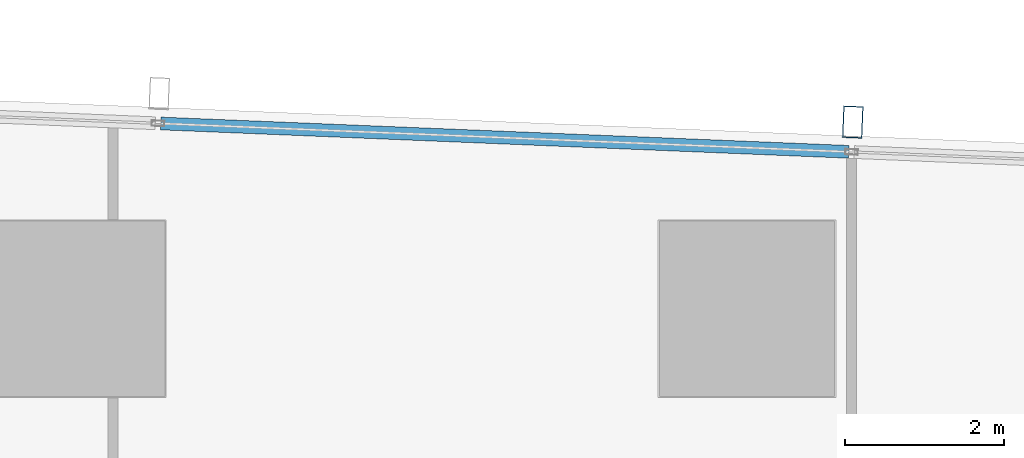
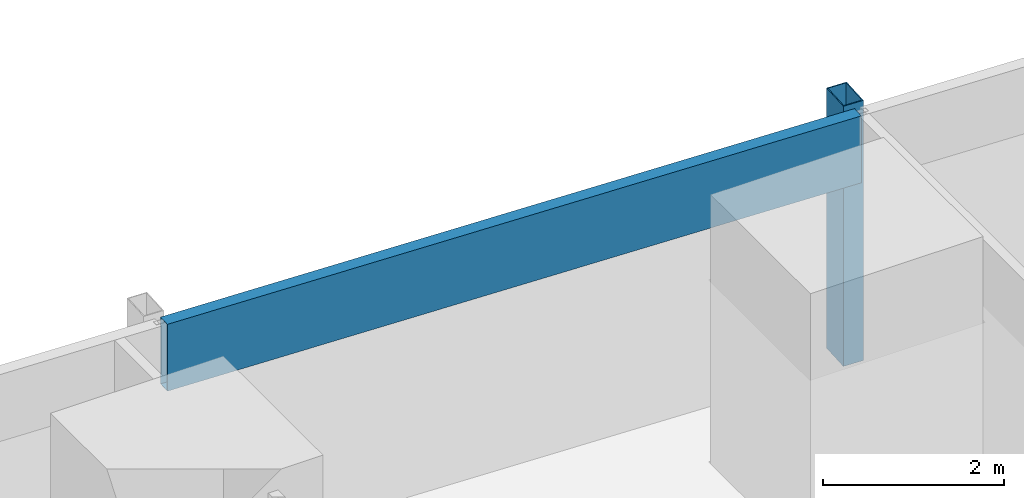
# One storey, part 24 of 42: 2 members, 1 element without a shape of its own.
"""IFC4 building model written with IfcOpenShell, lengths in metres."""

import ifcopenshell
import ifcopenshell.guid

model = None  # the IFC model being written
_history = None  # IfcOwnerHistory: only IFC2X3 demands one
_inside = {}  # id of a spatial element -> (the spatial element, [elements in it])
_under = {}  # id of a project, library or spatial element -> (it, [spatial elements below it])
_declared = {}  # id of a project -> (the project, [libraries it declares])
_typed = {}  # id of a type object -> (the type object, [elements of that type])
_made_of = {}  # id of a material, layer set ... -> (it, [elements and type objects made of it])


def new_model(schema):
    """Start an empty IFC model of exactly this schema.

    Asked for "IFC4X3", IfcOpenShell would pick the latest addendum, in which some entities
    have other attributes; the version numbers below select the first issue.
    IFC2X3 requires an IfcOwnerHistory on every rooted entity: one is made here for all.
    """
    global model, _history
    if schema == "IFC4X3":
        model = ifcopenshell.file(schema_version=(4, 3, 0, 0))
    else:
        model = ifcopenshell.file(schema=schema)
    _inside.clear()
    _under.clear()
    _declared.clear()
    _typed.clear()
    _made_of.clear()
    _history = None
    if model.schema == "IFC2X3":
        org = make("IfcOrganization", Name="unknown")
        user = make(
            "IfcPersonAndOrganization",
            ThePerson=make("IfcPerson", FamilyName="unknown"),
            TheOrganization=org,
        )
        app = make(
            "IfcApplication",
            ApplicationDeveloper=org,
            Version="unknown",
            ApplicationFullName="unknown",
            ApplicationIdentifier="unknown",
        )
        _history = make(
            "IfcOwnerHistory",
            OwningUser=user,
            OwningApplication=app,
            ChangeAction="ADDED",
            CreationDate=0,
        )
    return model


def make(cls, **values):
    """One entity of the class cls with the attributes given. An attribute that is None is left unset."""
    return model.create_entity(
        cls, **{name: value for name, value in values.items() if value is not None}
    )


def rooted(cls, **values):
    """An entity with a GlobalId (a new one), such as an element, a storey or a relation."""
    return make(cls, GlobalId=ifcopenshell.guid.new(), OwnerHistory=_history, **values)


def si_unit(unit_type, name, prefix=None):
    """IfcSIUnit, for example si_unit("LENGTHUNIT", "METRE", prefix="MILLI")."""
    return make("IfcSIUnit", UnitType=unit_type, Prefix=prefix, Name=name)


def assignment(units):
    """IfcUnitAssignment: the units of a project."""
    return None if units is None else make("IfcUnitAssignment", Units=units)


def point(xyz):
    """IfcCartesianPoint."""
    return None if xyz is None else make("IfcCartesianPoint", Coordinates=xyz)


def direction(xyz):
    """IfcDirection."""
    return None if xyz is None else make("IfcDirection", DirectionRatios=xyz)


def frame(location, z_axis=None, x_axis=None):
    """IfcAxis2Placement3D, a coordinate frame: its origin and axes. An axis left out is left unset."""
    return make(
        "IfcAxis2Placement3D",
        Location=point(location),
        Axis=direction(z_axis),
        RefDirection=direction(x_axis),
    )


def frame_2d(location, x_axis=None):
    """IfcAxis2Placement2D, a coordinate frame in the plane: its origin and x axis."""
    return make(
        "IfcAxis2Placement2D", Location=point(location), RefDirection=direction(x_axis)
    )


def origin():
    """The frame at (0, 0, 0) with its axes left unset."""
    return frame((0.0, 0.0, 0.0))


def origin_2d():
    """The frame at (0, 0) in the plane with its x axis left unset."""
    return frame_2d((0.0, 0.0))


def place(relative_to, where):
    """IfcLocalPlacement: puts the frame where relative to a parent placement (None: the world)."""
    return make(
        "IfcLocalPlacement", PlacementRelTo=relative_to, RelativePlacement=where
    )


def context(
    kind, dimensions, precision=None, world=None, true_north=None, identifier=None
):
    """IfcGeometricRepresentationContext, for example the 3D "Model" context."""
    return make(
        "IfcGeometricRepresentationContext",
        ContextIdentifier=identifier,
        ContextType=kind,
        CoordinateSpaceDimension=dimensions,
        Precision=precision,
        WorldCoordinateSystem=world,
        TrueNorth=true_north,
    )


def subcontext(parent, identifier, kind, view, scale=None):
    """IfcGeometricRepresentationSubContext, for example "Body" below "Model"."""
    return make(
        "IfcGeometricRepresentationSubContext",
        ContextIdentifier=identifier,
        ContextType=kind,
        ParentContext=parent,
        TargetScale=scale,
        TargetView=view,
    )


def project(units=None, contexts=None):
    """IfcProject with its units and contexts."""
    return rooted(
        "IfcProject",
        Name="project",
        RepresentationContexts=contexts,
        UnitsInContext=assignment(units),
    )


def spatial(cls, under=None, at=None, **own):
    """A site, building, storey or space (cls), placed at a placement, below another one or the project."""
    s = rooted(cls, ObjectPlacement=at, **own)
    if under is not None:
        _under.setdefault(under.id(), (under, []))[1].append(s)
    return s


def profile(cls, at=None, kind="AREA", **sizes):
    """A parametric profile (cls). Its sizes go by their IFC names, for example OverallWidth=200.0."""
    return make(cls, ProfileType=kind, Position=at, **sizes)


def hollow_rectangle(**sizes):
    """IfcRectangleHollowProfileDef."""
    return profile("IfcRectangleHollowProfileDef", **sizes)


def extrude(swept, where, along, depth):
    """IfcExtrudedAreaSolid: the profile swept, set in the frame where, extruded along a direction by depth."""
    return make(
        "IfcExtrudedAreaSolid",
        SweptArea=swept,
        Position=where,
        ExtrudedDirection=direction(along),
        Depth=depth,
    )


def shape(context_of_items, identifier, shape_type, items):
    """IfcShapeRepresentation: the items that make up one representation, for example the "Body"."""
    return make(
        "IfcShapeRepresentation",
        ContextOfItems=context_of_items,
        RepresentationIdentifier=identifier,
        RepresentationType=shape_type,
        Items=items,
    )


def material(Name=None, Category=None):
    """IfcMaterial."""
    return make("IfcMaterial", Name=Name, Category=Category)


def material_profile(
    of_material, cross_section, Name=None, Category=None, Priority=None
):
    """IfcMaterialProfile: a cross section and its material."""
    return make(
        "IfcMaterialProfile",
        Name=Name,
        Material=of_material,
        Profile=cross_section,
        Priority=Priority,
        Category=Category,
    )


def profile_set(profiles, Name=None, composite=None):
    """IfcMaterialProfileSet."""
    return make(
        "IfcMaterialProfileSet",
        Name=Name,
        MaterialProfiles=profiles,
        CompositeProfile=composite,
    )


def made_of(thing, what):
    """Note that an element or type object is made of a material, layer set ...; save() writes the relation."""
    if what is not None:
        _made_of.setdefault(what.id(), (what, []))[1].append(thing)
    return thing


def type_object(cls, material=None, **own):
    """A type object (cls), such as IfcWallType, which elements share."""
    return made_of(rooted(cls, **own), material)


def element(
    cls,
    number,
    at=None,
    inside=None,
    cuts=None,
    type_object=None,
    material=None,
    context=None,
    identifier="Body",
    shape_type=None,
    held_by="IfcProductDefinitionShape",
    body=None,
    shapes=None,
    **own,
):
    """One element of the class cls, such as IfcWall. Its Tag is "e" and its number.

    at: its placement. inside: the storey or other place that contains it. cuts: it is an
    opening in that element (IfcRelVoidsElement). A single representation is given by context,
    identifier, shape_type and body (its items); several are given by shapes. held_by: the class
    of the entity that holds the representations. save() writes the other relations.
    """
    e = rooted(cls, Tag="e%d" % number, ObjectPlacement=at, **own)
    if body is not None:
        shapes = [shape(context, identifier, shape_type, body)]
    if shapes is not None:
        e.Representation = make(held_by, Representations=shapes)
    if inside is not None:
        _inside.setdefault(inside.id(), (inside, []))[1].append(e)
    if cuts is not None:
        rooted(
            "IfcRelVoidsElement", RelatingBuildingElement=cuts, RelatedOpeningElement=e
        )
    if type_object is not None:
        _typed.setdefault(type_object.id(), (type_object, []))[1].append(e)
    return made_of(e, material)


def aggregate(whole, parts):
    """IfcRelAggregates: a whole, such as a stair, and the parts it consists of."""
    return rooted("IfcRelAggregates", RelatingObject=whole, RelatedObjects=parts)


def save(model, path):
    """Write the relations noted so far, then the file.

    IfcRelAggregates (storeys below a building ...), IfcRelContainedInSpatialStructure (elements
    in a storey), IfcRelDefinesByType, IfcRelAssociatesMaterial and IfcRelDeclares: one each for
    every whole, place, type object, material and project.
    """
    for whole, parts in _under.values():
        aggregate(whole, parts)
    for where, things in _inside.values():
        rooted(
            "IfcRelContainedInSpatialStructure",
            RelatedElements=things,
            RelatingStructure=where,
        )
    for kind, things in _typed.values():
        rooted("IfcRelDefinesByType", RelatedObjects=things, RelatingType=kind)
    for what, things in _made_of.values():
        rooted("IfcRelAssociatesMaterial", RelatedObjects=things, RelatingMaterial=what)
    for by, libraries in _declared.values():
        rooted("IfcRelDeclares", RelatingContext=by, RelatedDefinitions=libraries)
    model.write(path)


model = new_model("IFC4")

# Units and contexts
model_context = context("Model", 3, precision=1e-05, world=origin(), true_north=direction((0.0, 1.0)))
body_context = subcontext(model_context, "Body", "Model", "MODEL_VIEW")
ifc_project = project(units=[si_unit("LENGTHUNIT", "METRE"), si_unit("AREAUNIT", "SQUARE_METRE"), si_unit("VOLUMEUNIT", "CUBIC_METRE"), si_unit("PLANEANGLEUNIT", "RADIAN"), si_unit("MASSUNIT", "GRAM", prefix="KILO")], contexts=[model_context])

# Site, building, storey
site_placement = place(None, origin())
site = spatial("IfcSite", under=ifc_project, at=site_placement, CompositionType="ELEMENT")
building_placement = place(site_placement, origin())
building = spatial("IfcBuilding", under=site, at=building_placement, Name="Rekha Terrace Tower", CompositionType="ELEMENT")
storey_placement = place(building_placement, frame((0.0, 0.0, 70.39990234375)))
storey = spatial("IfcBuildingStorey", under=building, at=storey_placement, Name="L17", CompositionType="ELEMENT", Elevation=70.39990234375)

# Curtain wall, members
ifc_material_1 = material(Name="Aluminium framing", Category="aluminium")
curtain_wall_type = type_object("IfcCurtainWallType", Name="CW3 north unitised glazing", PredefinedType="USERDEFINED", material=ifc_material_1)
curtain_wall_placement = place(storey_placement, origin())
curtain_wall = element("IfcCurtainWall", 1, at=curtain_wall_placement, inside=storey, type_object=curtain_wall_type, Name="CW3 unitised curtain wall", ObjectType="UNITISED CURTAIN WALL", PredefinedType="USERDEFINED")
ifc_material_2 = material(Name="Steel S355 with fluorocarbon finish", Category="steel")
ifc_material_profile_1 = material_profile(ifc_material_2, hollow_rectangle(XDim=0.25, YDim=0.39990234375, WallThickness=0.012451171875, at=origin_2d()), Name="RHS400x250x12.5")
ifc_profile_set_1 = profile_set([ifc_material_profile_1], Name="Steel S355 with fluorocarbon finish")
member_type_1 = type_object("IfcMemberType", Name="BL1 facade blade RHS 400 x 250", PredefinedType="USERDEFINED", material=ifc_profile_set_1)
member_1_placement = place(storey_placement, frame((60.126953125, 61.140869140625, 0.0), z_axis=(0.0, 0.0, 1.0), x_axis=(-0.99915196507, 0.041174636562, 0.0)))
member_1 = element("IfcMember", 2, at=member_1_placement, type_object=member_type_1, Name="Facade blade", ObjectType="FACADE BLADE", PredefinedType="USERDEFINED", context=body_context, shape_type="SweptSolid", body=[
    extrude(hollow_rectangle(XDim=0.25, YDim=0.39990234375, WallThickness=0.012451171875, at=origin_2d()), origin(), (0.0, 0.0, 1.0), 3.5),
])
ifc_material_3 = material(Name="Insulated aluminium spandrel box", Category="aluminium")
ifc_material_profile_2 = material_profile(ifc_material_3, hollow_rectangle(XDim=0.159912109375, YDim=0.89990234375, WallThickness=0.0029296875, at=origin_2d()), Name="AL SPANDREL BOX 160x900")
ifc_profile_set_2 = profile_set([ifc_material_profile_2], Name="Insulated aluminium spandrel box")
member_type_2 = type_object("IfcMemberType", Name="CW3 spandrel transom 160 x 900", PredefinedType="USERDEFINED", material=ifc_profile_set_2)
member_2_placement = place(storey_placement, frame((60.07666015625, 60.767578125, 3.050048828125), z_axis=(-0.999152128669, 0.041170666459, 0.0), x_axis=(-0.041170666459, -0.999152128669, 0.0)))
member_2 = element("IfcMember", 3, at=member_2_placement, type_object=member_type_2, Name="CW3 spandrel transom 2", ObjectType="TRANSOM", PredefinedType="USERDEFINED", context=body_context, shape_type="SweptSolid", body=[
    extrude(hollow_rectangle(XDim=0.159912109375, YDim=0.89990234375, WallThickness=0.0029296875, at=origin_2d()), origin(), (0.0, 0.0, 1.0), 8.634033203125),
])
aggregate(curtain_wall, [member_2, member_1])

save(model, "model.ifc")
